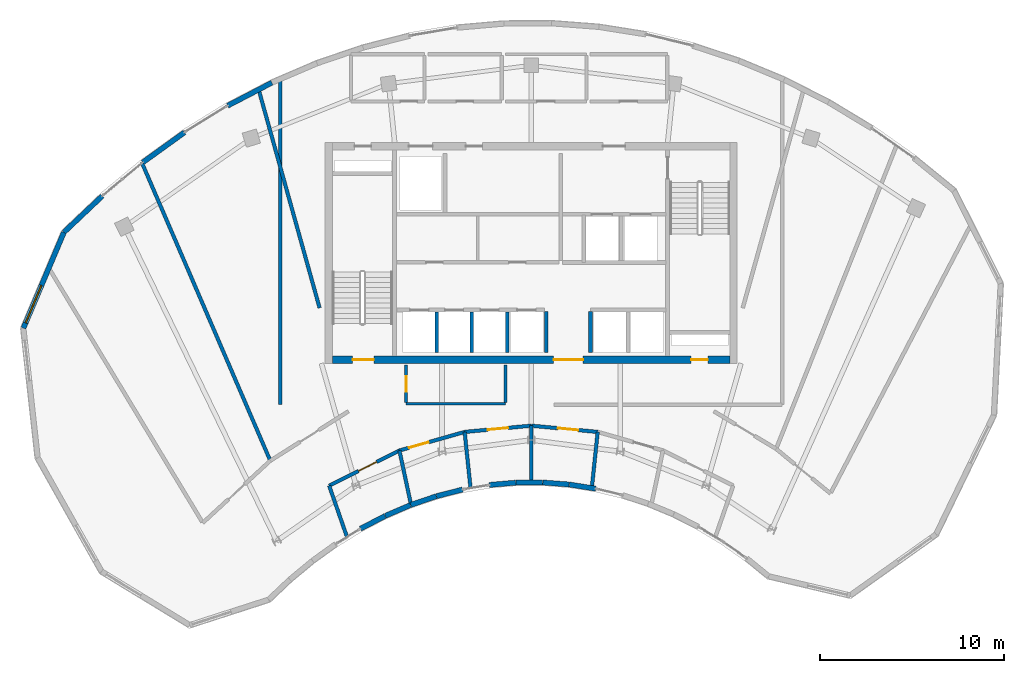
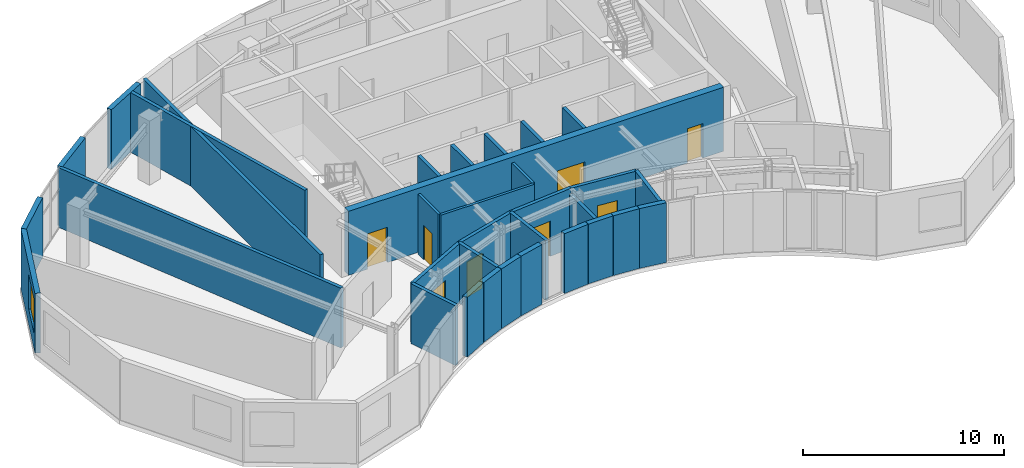
# One storey, part 5 of 9: 33 walls, 8 doors, 1 window, 9 openings.
"""IFC4 building model written with IfcOpenShell, lengths in metres."""

from ifc_helpers import new_model, si_unit, direction, frame, frame_2d, origin, place, context, subcontext, project, spatial, rectangle, extrude, source, transform, mapped, material, layer, layer_set, type_object, type_shapes, element, fill, save


model = new_model("IFC4")

# Units and contexts
model_context = context("Model", 3, precision=1e-05, world=origin(), true_north=direction((0.0, 1.0)))
body_context = subcontext(model_context, "Body", "Model", "MODEL_VIEW")
ifc_project = project(units=[si_unit("LENGTHUNIT", "METRE"), si_unit("AREAUNIT", "SQUARE_METRE"), si_unit("VOLUMEUNIT", "CUBIC_METRE"), si_unit("PLANEANGLEUNIT", "RADIAN"), si_unit("MASSUNIT", "GRAM", prefix="KILO")], contexts=[model_context])

# Site, building, storey
site_placement = place(None, origin())
site = spatial("IfcSite", under=ifc_project, at=site_placement, CompositionType="ELEMENT")
building_placement = place(site_placement, origin())
building = spatial("IfcBuilding", under=site, at=building_placement, Name="Breltana Convention Tower", CompositionType="ELEMENT")
storey_placement = place(building_placement, frame((0.0, 0.0, 279.60009765625)))
storey = spatial("IfcBuildingStorey", under=building, at=storey_placement, Name="L68", CompositionType="ELEMENT", Elevation=279.60009765625)

# Wall, openings, doors
ifc_material_1 = material(Name="Concrete C50/60", Category="concrete")
ifc_layer_1 = layer(ifc_material_1, 0.39990234375, Name="Concrete C50/60")
ifc_layer_set_1 = layer_set([ifc_layer_1], Name="Concrete C50/60")
wall_type_1 = type_object("IfcWallType", Name="SW-CORE-400", PredefinedType="SHEAR", material=ifc_layer_set_1)
shared_shape_1 = source(origin(), body_context, "Body", "SweptSolid", [
    extrude(rectangle(XDim=21.60009765625, YDim=0.39990234375, at=frame_2d((10.800048828125, 0.0))), origin(), (0.0, 0.0, 1.0), 3.89990234375),
])
wall_1_placement = place(storey_placement, frame((37.199951171875, 60.39990234375, 0.0), z_axis=(0.0, 0.0, 1.0), x_axis=(1.0, 0.0, 0.0)))
wall_1 = element("IfcWall", 1, at=wall_1_placement, inside=storey, type_object=wall_type_1, Name="L68 South Core Shear Wall", PredefinedType="SHEAR", context=body_context, shape_type="MappedRepresentation", body=[
    mapped(shared_shape_1, transform((0.0, 0.0, 0.0), scale=1.0)),
])
opening_1_placement = place(wall_1_placement, frame((1.10009765625, 0.0, 0.0)))
opening_1 = element("IfcOpeningElement", 2, at=opening_1_placement, cuts=wall_1, Name="Opening D-11", PredefinedType="OPENING", context=body_context, shape_type="SweptSolid", body=[
    extrude(rectangle(XDim=1.14990234375, YDim=2.14990234375, at=frame_2d((0.574951171875, 1.074951171875))), frame((0.0, 0.2099609375, 0.0), z_axis=(0.0, -1.0, 0.0), x_axis=(1.0, 0.0, 0.0)), (0.0, 0.0, 1.0), 0.419921875),
])
opening_2_placement = place(wall_1_placement, frame((19.5, 0.0, 0.0)))
opening_2 = element("IfcOpeningElement", 3, at=opening_2_placement, cuts=wall_1, Name="Opening D-18", PredefinedType="OPENING", context=body_context, shape_type="SweptSolid", body=[
    extrude(rectangle(XDim=0.89990234375, YDim=2.10009765625, at=frame_2d((0.449951171875, 1.050048828125))), frame((0.0, 0.2099609375, 0.0), z_axis=(0.0, -1.0, 0.0), x_axis=(1.0, 0.0, 0.0)), (0.0, 0.0, 1.0), 0.419921875),
])
opening_3_placement = place(wall_1_placement, frame((12.02001953125, 0.0, 0.0)))
opening_3 = element("IfcOpeningElement", 4, at=opening_3_placement, cuts=wall_1, Name="Opening D-02", PredefinedType="OPENING", context=body_context, shape_type="SweptSolid", body=[
    extrude(rectangle(XDim=1.60009765625, YDim=2.14990234375, at=frame_2d((0.800048828125, 1.074951171875))), frame((0.0, 0.2099609375, 0.0), z_axis=(0.0, -1.0, 0.0), x_axis=(1.0, 0.0, 0.0)), (0.0, 0.0, 1.0), 0.419921875),
])
ifc_material_2 = material(Name="Steel Stair Exit Door", Category="steel")
door_type_1 = type_object("IfcDoorType", Name="DR-FD120-1150", OperationType="NOTDEFINED", PredefinedType="DOOR", material=ifc_material_2)
shared_shape_2 = source(origin(), body_context, "Body", "SweptSolid", [
    extrude(rectangle(XDim=1.14990234375, YDim=2.14990234375, at=frame_2d((0.574951171875, 1.074951171875))), frame((0.0, 0.02490234375, 0.0), z_axis=(0.0, -1.0, 0.0), x_axis=(1.0, 0.0, 0.0)), (0.0, 0.0, 1.0), 0.050048828125),
])
type_shapes(door_type_1, [shared_shape_2])
door_1_placement = place(opening_1_placement, origin())
door_1 = element("IfcDoor", 5, at=door_1_placement, inside=storey, type_object=door_type_1, Name="L68 interior door D-L68-ST1", OperationType="SINGLE_SWING_LEFT", OverallHeight=2.14990234375, OverallWidth=1.14990234375, PredefinedType="DOOR", context=body_context, shape_type="MappedRepresentation", body=[
    mapped(shared_shape_2, transform((0.0, 0.0, 0.0), scale=1.0)),
])
fill(opening_1, door_1)
ifc_material_3 = material(Name="Steel Riser Fire Door", Category="steel")
door_type_2 = type_object("IfcDoorType", Name="DR-FD60-900", OperationType="NOTDEFINED", PredefinedType="DOOR", material=ifc_material_3)
shared_shape_3 = source(origin(), body_context, "Body", "SweptSolid", [
    extrude(rectangle(XDim=0.89990234375, YDim=2.10009765625, at=frame_2d((0.449951171875, 1.050048828125))), frame((0.0, 0.02490234375, 0.0), z_axis=(0.0, -1.0, 0.0), x_axis=(1.0, 0.0, 0.0)), (0.0, 0.0, 1.0), 0.050048828125),
])
type_shapes(door_type_2, [shared_shape_3])
door_2_placement = place(opening_2_placement, origin())
door_2 = element("IfcDoor", 6, at=door_2_placement, inside=storey, type_object=door_type_2, Name="L68 Core Riser Access Door D-L68-RS2", OperationType="SINGLE_SWING_RIGHT", OverallHeight=2.10009765625, OverallWidth=0.89990234375, PredefinedType="DOOR", context=body_context, shape_type="MappedRepresentation", body=[
    mapped(shared_shape_3, transform((0.0, 0.0, 0.0), scale=1.0)),
])
fill(opening_2, door_2)
ifc_material_4 = material(Name="Steel Glazed Smoke-Control Door", Category="steel")
door_type_3 = type_object("IfcDoorType", Name="DR-DBL-FD90-1600", OperationType="DOUBLE_DOOR_SINGLE_SWING", PredefinedType="DOOR", material=ifc_material_4)
shared_shape_4 = source(origin(), body_context, "Body", "SweptSolid", [
    extrude(rectangle(XDim=1.60009765625, YDim=2.14990234375, at=frame_2d((0.800048828125, 1.074951171875))), frame((0.0, 0.02490234375, 0.0), z_axis=(0.0, -1.0, 0.0), x_axis=(1.0, 0.0, 0.0)), (0.0, 0.0, 1.0), 0.050048828125),
])
type_shapes(door_type_3, [shared_shape_4])
door_3_placement = place(opening_3_placement, origin())
door_3 = element("IfcDoor", 7, at=door_3_placement, inside=storey, type_object=door_type_3, Name="L68 interior door D-L68-LLB-S", OperationType="DOUBLE_DOOR_SINGLE_SWING", OverallHeight=2.14990234375, OverallWidth=1.60009765625, PredefinedType="DOOR", context=body_context, shape_type="MappedRepresentation", body=[
    mapped(shared_shape_4, transform((0.0, 0.0, 0.0), scale=1.0)),
])
fill(opening_3, door_3)

# Walls
ifc_material_5 = material(Name="Limestone Buff Insulated Wall", Category="masonry")
ifc_layer_2 = layer(ifc_material_5, 0.280029296875, Name="Limestone Buff Insulated Wall")
ifc_layer_set_2 = layer_set([ifc_layer_2], Name="Limestone Buff Insulated Wall")
wall_type_2 = type_object("IfcWallType", Name="WL-EXT-NOSE-280", PredefinedType="SOLIDWALL", material=ifc_layer_set_2)
shared_shape_5 = source(origin(), body_context, "Body", "SweptSolid", [
    extrude(rectangle(XDim=1.446044921875, YDim=0.280029296875, at=frame_2d((0.72314453125, 0.0))), origin(), (0.0, 0.0, 1.0), 3.639892578125),
])
wall_2_placement = place(storey_placement, frame((51.509033203125, 53.38818359375, 0.0), z_axis=(0.0, 0.0, 1.0), x_axis=(-0.987650460941, 0.156673440642, 0.0)))
element("IfcWall", 8, at=wall_2_placement, inside=storey, type_object=wall_type_2, Name="L68 curved limestone nose wall E10", PredefinedType="SOLIDWALL", context=body_context, shape_type="MappedRepresentation", body=[
    mapped(shared_shape_5, transform((0.0, 0.0, 0.0), scale=1.0)),
])
shared_shape_6 = source(origin(), body_context, "Body", "SweptSolid", [
    extrude(rectangle(XDim=1.440185546875, YDim=0.280029296875, at=frame_2d((0.72021484375, 0.0))), origin(), (0.0, 0.0, 1.0), 3.639892578125),
])
wall_3_placement = place(storey_placement, frame((50.066162109375, 53.616455078125, 0.0), z_axis=(0.0, 0.0, 1.0), x_axis=(-0.997124860794, 0.075776064736, 0.0)))
element("IfcWall", 9, at=wall_3_placement, inside=storey, type_object=wall_type_2, Name="L68 curved limestone nose wall E11", PredefinedType="SOLIDWALL", context=body_context, shape_type="MappedRepresentation", body=[
    mapped(shared_shape_6, transform((0.0, 0.0, 0.0), scale=1.0)),
])
shared_shape_7 = source(origin(), body_context, "Body", "SweptSolid", [
    extrude(rectangle(XDim=1.4384765625, YDim=0.280029296875, at=frame_2d((0.71923828125, 0.0))), origin(), (0.0, 0.0, 1.0), 3.639892578125),
])
wall_4_placement = place(storey_placement, frame((48.615478515625, 53.726318359375, 0.0), z_axis=(0.0, 0.0, 1.0), x_axis=(-0.999982357135, -0.005940153174, 0.0)))
element("IfcWall", 10, at=wall_4_placement, inside=storey, type_object=wall_type_2, Name="L68 curved limestone nose wall E12", PredefinedType="SOLIDWALL", context=body_context, shape_type="MappedRepresentation", body=[
    mapped(shared_shape_7, transform((0.0, 0.0, 0.0), scale=1.0)),
])
shared_shape_8 = source(origin(), body_context, "Body", "SweptSolid", [
    extrude(rectangle(XDim=1.44091796875, YDim=0.280029296875, at=frame_2d((0.720458984375, 0.0))), origin(), (0.0, 0.0, 1.0), 3.639892578125),
])
wall_5_placement = place(storey_placement, frame((47.162353515625, 53.717041015625, 0.0), z_axis=(0.0, 0.0, 1.0), x_axis=(-0.99617032352, -0.087433898101, 0.0)))
element("IfcWall", 11, at=wall_5_placement, inside=storey, type_object=wall_type_2, Name="L68 curved limestone nose wall E13", PredefinedType="SOLIDWALL", context=body_context, shape_type="MappedRepresentation", body=[
    mapped(shared_shape_8, transform((0.0, 0.0, 0.0), scale=1.0)),
])
shared_shape_9 = source(origin(), body_context, "Body", "SweptSolid", [
    extrude(rectangle(XDim=1.4580078125, YDim=0.280029296875, at=frame_2d((0.72900390625, 0.0))), origin(), (0.0, 0.0, 1.0), 3.639892578125),
])
wall_6_placement = place(storey_placement, frame((44.271484375, 53.343017578125, 0.0), z_axis=(0.0, 0.0, 1.0), x_axis=(-0.969109544438, -0.246630677083, 0.0)))
element("IfcWall", 12, at=wall_6_placement, inside=storey, type_object=wall_type_2, Name="L68 curved limestone nose wall E14", PredefinedType="SOLIDWALL", context=body_context, shape_type="MappedRepresentation", body=[
    mapped(shared_shape_9, transform((0.0, 0.0, 0.0), scale=1.0)),
])
shared_shape_10 = source(origin(), body_context, "Body", "SweptSolid", [
    extrude(rectangle(XDim=1.47265625, YDim=0.280029296875, at=frame_2d((0.736328125, 0.0))), origin(), (0.0, 0.0, 1.0), 3.639892578125),
])
wall_7_placement = place(storey_placement, frame((42.8447265625, 52.9794921875, 0.0), z_axis=(0.0, 0.0, 1.0), x_axis=(-0.946641296917, -0.322289086026, 0.0)))
element("IfcWall", 13, at=wall_7_placement, inside=storey, type_object=wall_type_2, Name="L68 curved limestone nose wall E15", PredefinedType="SOLIDWALL", context=body_context, shape_type="MappedRepresentation", body=[
    mapped(shared_shape_10, transform((0.0, 0.0, 0.0), scale=1.0)),
])
shared_shape_11 = source(origin(), body_context, "Body", "SweptSolid", [
    extrude(rectangle(XDim=1.490478515625, YDim=0.280029296875, at=frame_2d((0.7451171875, 0.0))), origin(), (0.0, 0.0, 1.0), 3.639892578125),
])
wall_8_placement = place(storey_placement, frame((41.437744140625, 52.5, 0.0), z_axis=(0.0, 0.0, 1.0), x_axis=(-0.919009427656, -0.394235553799, 0.0)))
element("IfcWall", 14, at=wall_8_placement, inside=storey, type_object=wall_type_2, Name="L68 curved limestone nose wall E16", PredefinedType="SOLIDWALL", context=body_context, shape_type="MappedRepresentation", body=[
    mapped(shared_shape_11, transform((0.0, 0.0, 0.0), scale=1.0)),
])
shared_shape_12 = source(origin(), body_context, "Body", "SweptSolid", [
    extrude(rectangle(XDim=1.51171875, YDim=0.280029296875, at=frame_2d((0.755859375, 0.0))), origin(), (0.0, 0.0, 1.0), 3.639892578125),
])
wall_9_placement = place(storey_placement, frame((40.0556640625, 51.906494140625, 0.0), z_axis=(0.0, 0.0, 1.0), x_axis=(-0.886841011195, -0.462074691865, 0.0)))
element("IfcWall", 15, at=wall_9_placement, inside=storey, type_object=wall_type_2, Name="L68 curved limestone nose wall E17", PredefinedType="SOLIDWALL", context=body_context, shape_type="MappedRepresentation", body=[
    mapped(shared_shape_12, transform((0.0, 0.0, 0.0), scale=1.0)),
])

# Wall, opening, window
shared_shape_13 = source(origin(), body_context, "Body", "SweptSolid", [
    extrude(rectangle(XDim=5.655029296875, YDim=0.280029296875, at=frame_2d((2.82763671875, 0.0))), origin(), (0.0, 0.0, 1.0), 3.639892578125),
])
wall_10_placement = place(storey_placement, frame((20.40087890625, 62.11572265625, 0.0), z_axis=(0.0, 0.0, 1.0), x_axis=(0.389585063528, 0.920990487614, 0.0)))
wall_10 = element("IfcWall", 16, at=wall_10_placement, inside=storey, type_object=wall_type_2, Name="L68 curved limestone nose wall W6", PredefinedType="SOLIDWALL", context=body_context, shape_type="MappedRepresentation", body=[
    mapped(shared_shape_13, transform((0.0, 0.0, 0.0), scale=1.0)),
])
opening_4_placement = place(wall_10_placement, frame((0.313720703125, 0.0, 0.949951171875)))
opening_4 = element("IfcOpeningElement", 17, at=opening_4_placement, cuts=wall_10, Name="Opening W-03", PredefinedType="OPENING", context=body_context, shape_type="SweptSolid", body=[
    extrude(rectangle(XDim=2.199951171875, YDim=2.10009765625, at=frame_2d((1.10009765625, 1.050048828125))), frame((0.0, 0.14990234375, 0.0), z_axis=(0.0, -1.0, 0.0), x_axis=(1.0, 0.0, 0.0)), (0.0, 0.0, 1.0), 0.300048828125),
])
ifc_material_6 = material(Name="Glass Low-E Insulated Window", Category="glass")
window_type = type_object("IfcWindowType", Name="WN-NOSE-2200X2100", PartitioningType="TRIPLE_PANEL_VERTICAL", PredefinedType="WINDOW", material=ifc_material_6)
shared_shape_14 = source(origin(), body_context, "Body", "SweptSolid", [
    extrude(rectangle(XDim=2.199951171875, YDim=2.10009765625, at=frame_2d((1.10009765625, 1.050048828125))), frame((0.0, 0.030029296875, 0.0), z_axis=(0.0, -1.0, 0.0), x_axis=(1.0, 0.0, 0.0)), (0.0, 0.0, 1.0), 0.06005859375),
])
type_shapes(window_type, [shared_shape_14])
window_placement = place(opening_4_placement, origin())
window = element("IfcWindow", 18, at=window_placement, inside=storey, type_object=window_type, Name="L68 nose window W6", OverallHeight=2.10009765625, OverallWidth=2.199951171875, PartitioningType="TRIPLE_PANEL_VERTICAL", PredefinedType="WINDOW", context=body_context, shape_type="MappedRepresentation", body=[
    mapped(shared_shape_14, transform((0.0, 0.0, 0.0), scale=1.0)),
])
fill(opening_4, window)

# Walls
shared_shape_15 = source(origin(), body_context, "Body", "SweptSolid", [
    extrude(rectangle(XDim=2.87255859375, YDim=0.280029296875, at=frame_2d((1.436279296875, 0.0))), origin(), (0.0, 0.0, 1.0), 3.639892578125),
])
wall_11_placement = place(storey_placement, frame((22.60400390625, 67.323974609375, 0.0), z_axis=(0.0, 0.0, 1.0), x_axis=(0.72609560544, 0.687593754888, 0.0)))
element("IfcWall", 19, at=wall_11_placement, inside=storey, type_object=wall_type_2, Name="L68 curved limestone nose wall W7", PredefinedType="SOLIDWALL", context=body_context, shape_type="MappedRepresentation", body=[
    mapped(shared_shape_15, transform((0.0, 0.0, 0.0), scale=1.0)),
])
shared_shape_16 = source(origin(), body_context, "Body", "SweptSolid", [
    extrude(rectangle(XDim=2.8017578125, YDim=0.280029296875, at=frame_2d((1.40087890625, 0.0))), origin(), (0.0, 0.0, 1.0), 3.639892578125),
])
wall_12_placement = place(storey_placement, frame((26.88525390625, 71.11962890625, 0.0), z_axis=(0.0, 0.0, 1.0), x_axis=(0.811507896482, 0.584341453217, 0.0)))
element("IfcWall", 20, at=wall_12_placement, inside=storey, type_object=wall_type_2, Name="L68 curved limestone nose wall E20", PredefinedType="SOLIDWALL", context=body_context, shape_type="MappedRepresentation", body=[
    mapped(shared_shape_16, transform((0.0, 0.0, 0.0), scale=1.0)),
])
shared_shape_17 = source(origin(), body_context, "Body", "SweptSolid", [
    extrude(rectangle(XDim=2.71142578125, YDim=0.280029296875, at=frame_2d((1.355712890625, 0.0))), origin(), (0.0, 0.0, 1.0), 3.639892578125),
])
wall_13_placement = place(storey_placement, frame((31.50244140625, 74.20458984375, 0.0), z_axis=(0.0, 0.0, 1.0), x_axis=(0.886828760751, 0.462098202881, 0.0)))
element("IfcWall", 21, at=wall_13_placement, inside=storey, type_object=wall_type_2, Name="L68 curved limestone nose wall E21", PredefinedType="SOLIDWALL", context=body_context, shape_type="MappedRepresentation", body=[
    mapped(shared_shape_17, transform((0.0, 0.0, 0.0), scale=1.0)),
])
ifc_material_7 = material(Name="Autoclaved Aerated Concrete Block", Category="concrete")
ifc_layer_3 = layer(ifc_material_7, 0.199951171875, Name="Autoclaved Aerated Concrete Block")
ifc_layer_set_3 = layer_set([ifc_layer_3], Name="Autoclaved Aerated Concrete Block")
wall_type_3 = type_object("IfcWallType", Name="WL-SHAFT-200", PredefinedType="SOLIDWALL", material=ifc_layer_set_3)
shared_shape_18 = source(origin(), body_context, "Body", "SweptSolid", [
    extrude(rectangle(XDim=2.239990234375, YDim=0.199951171875, at=frame_2d((1.1201171875, 0.0))), origin(), (0.0, 0.0, 1.0), 3.639892578125),
])
for number, where, z_axis, x_axis, name in (
    (22, (48.820068359375, 60.780029296875, 0.0), (0.0, 0.0, 1.0), (0.0, 1.0, 0.0), "L68 interior partition W-L68-PORT-W"),
    (23, (51.219970703125, 60.780029296875, 0.0), (0.0, 0.0, 1.0), (0.0, 1.0, 0.0), "L68 interior partition W-L68-PORT-E"),
):
    element("IfcWall", number, at=place(storey_placement, frame(where, z_axis=z_axis, x_axis=x_axis)), inside=storey, type_object=wall_type_3, Name=name, PredefinedType="SOLIDWALL", context=body_context, shape_type="MappedRepresentation", body=[
        mapped(shared_shape_18, transform((0.0, 0.0, 0.0), scale=1.0)),
    ])
shared_shape_19 = source(origin(), body_context, "Body", "SweptSolid", [
    extrude(rectangle(XDim=2.199951171875, YDim=0.199951171875, at=frame_2d((1.10009765625, 0.0))), origin(), (0.0, 0.0, 1.0), 3.639892578125),
])
for number, where, z_axis, x_axis, name in (
    (24, (42.8701171875, 60.800048828125, 0.0), (0.0, 0.0, 1.0), (0.0, 1.0, 0.0), "L68 interior partition W-L68-SH-S-DIV1"),
    (25, (44.77001953125, 60.800048828125, 0.0), (0.0, 0.0, 1.0), (0.0, 1.0, 0.0), "L68 interior partition W-L68-SH-S-DIV2"),
    (26, (46.699951171875, 60.800048828125, 0.0), (0.0, 0.0, 1.0), (0.0, 1.0, 0.0), "L68 interior partition W-L68-SH-S-DIV3"),
):
    element("IfcWall", number, at=place(storey_placement, frame(where, z_axis=z_axis, x_axis=x_axis)), inside=storey, type_object=wall_type_3, Name=name, PredefinedType="SOLIDWALL", context=body_context, shape_type="MappedRepresentation", body=[
        mapped(shared_shape_19, transform((0.0, 0.0, 0.0), scale=1.0)),
    ])
ifc_material_8 = material(Name="Gypsum Acoustic Drywall Partition")
ifc_layer_4 = layer(ifc_material_8, 0.14990234375, Name="Gypsum Acoustic Drywall Partition")
ifc_layer_set_4 = layer_set([ifc_layer_4], Name="Gypsum Acoustic Drywall Partition")
wall_type_4 = type_object("IfcWallType", Name="WL-PART-150", PredefinedType="PARTITIONING", material=ifc_layer_set_4)
shared_shape_20 = source(origin(), body_context, "Body", "SweptSolid", [
    extrude(rectangle(XDim=5.400146484375, YDim=0.14990234375, at=frame_2d((2.7001953125, 0.0))), origin(), (0.0, 0.0, 1.0), 3.639892578125),
])
wall_14_placement = place(storey_placement, frame((41.199951171875, 58.0, 0.0), z_axis=(0.0, 0.0, 1.0), x_axis=(1.0, 0.0, 0.0)))
element("IfcWall", 27, at=wall_14_placement, inside=storey, type_object=wall_type_4, Name="L68 interior partition W-L68-CRSC-S", PredefinedType="PARTITIONING", context=body_context, shape_type="MappedRepresentation", body=[
    mapped(shared_shape_20, transform((0.0, 0.0, 0.0), scale=1.0)),
])

# Wall, opening, door
shared_shape_21 = source(origin(), body_context, "Body", "SweptSolid", [
    extrude(rectangle(XDim=2.03271484375, YDim=0.14990234375, at=frame_2d((1.016357421875, 0.0))), origin(), (0.0, 0.0, 1.0), 3.639892578125),
])
wall_15_placement = place(storey_placement, frame((41.199951171875, 58.0673828125, 0.0), z_axis=(0.0, 0.0, 1.0), x_axis=(0.0, 1.0, 0.0)))
wall_15 = element("IfcWall", 28, at=wall_15_placement, inside=storey, type_object=wall_type_4, Name="L68 interior partition W-L68-CRSC-W", PredefinedType="PARTITIONING", context=body_context, shape_type="MappedRepresentation", body=[
    mapped(shared_shape_21, transform((0.0, 0.0, 0.0), scale=1.0)),
])
opening_5_placement = place(wall_15_placement, frame((0.59130859375, 0.0, 0.0)))
opening_5 = element("IfcOpeningElement", 29, at=opening_5_placement, cuts=wall_15, Name="Opening D-20", PredefinedType="OPENING", context=body_context, shape_type="SweptSolid", body=[
    extrude(rectangle(XDim=0.85009765625, YDim=2.10009765625, at=frame_2d((0.425048828125, 1.050048828125))), frame((0.0, 0.0849609375, 0.0), z_axis=(0.0, -1.0, 0.0), x_axis=(1.0, 0.0, 0.0)), (0.0, 0.0, 1.0), 0.169921875),
])
ifc_material_9 = material(Name="Steel Closet Fire Door", Category="steel")
door_type_4 = type_object("IfcDoorType", Name="DR-FD60-850", OperationType="NOTDEFINED", PredefinedType="DOOR", material=ifc_material_9)
shared_shape_22 = source(origin(), body_context, "Body", "SweptSolid", [
    extrude(rectangle(XDim=0.85009765625, YDim=2.10009765625, at=frame_2d((0.425048828125, 1.050048828125))), frame((0.0, 0.02490234375, 0.0), z_axis=(0.0, -1.0, 0.0), x_axis=(1.0, 0.0, 0.0)), (0.0, 0.0, 1.0), 0.050048828125),
])
type_shapes(door_type_4, [shared_shape_22])
door_4_placement = place(opening_5_placement, origin())
door_4 = element("IfcDoor", 30, at=door_4_placement, inside=storey, type_object=door_type_4, Name="L68 interior door D-L68-CRSC", OperationType="SINGLE_SWING_LEFT", OverallHeight=2.10009765625, OverallWidth=0.85009765625, PredefinedType="DOOR", context=body_context, shape_type="MappedRepresentation", body=[
    mapped(shared_shape_22, transform((0.0, 0.0, 0.0), scale=1.0)),
])
fill(opening_5, door_4)

# Wall
wall_16_placement = place(storey_placement, frame((46.60009765625, 58.0673828125, 0.0), z_axis=(0.0, 0.0, 1.0), x_axis=(0.0, 1.0, 0.0)))
element("IfcWall", 31, at=wall_16_placement, inside=storey, type_object=wall_type_4, Name="L68 interior partition W-L68-CRSC-E", PredefinedType="PARTITIONING", context=body_context, shape_type="MappedRepresentation", body=[
    mapped(shared_shape_21, transform((0.0, 0.0, 0.0), scale=1.0)),
])

# Wall, opening, door
ifc_material_10 = material(Name="Gypsum Acoustic Hotel Wall")
ifc_layer_5 = layer(ifc_material_10, 0.195068359375, Name="Gypsum Acoustic Hotel Wall")
ifc_layer_set_5 = layer_set([ifc_layer_5], Name="Gypsum Acoustic Hotel Wall")
wall_type_5 = type_object("IfcWallType", Name="WL-HOTEL-200", PredefinedType="PARTITIONING", material=ifc_layer_set_5)
shared_shape_23 = source(origin(), body_context, "Body", "SweptSolid", [
    extrude(rectangle(XDim=4.270751953125, YDim=0.195068359375, at=frame_2d((2.13525390625, 0.0))), origin(), (0.0, 0.0, 1.0), 3.639892578125),
])
wall_17_placement = place(storey_placement, frame((37.0205078125, 53.551513671875, 0.0), z_axis=(0.0, 0.0, 1.0), x_axis=(0.894061035522, 0.447945158207, 0.0)))
wall_17 = element("IfcWall", 32, at=wall_17_placement, inside=storey, type_object=wall_type_5, Name="L68 interior partition W-L68-ES1-COR", PredefinedType="PARTITIONING", context=body_context, shape_type="MappedRepresentation", body=[
    mapped(shared_shape_23, transform((0.0, 0.0, 0.0), scale=1.0)),
])
opening_6_placement = place(wall_17_placement, frame((1.785400390625, 0.0, 0.0)))
opening_6 = element("IfcOpeningElement", 33, at=opening_6_placement, cuts=wall_17, Name="Opening D-12", PredefinedType="OPENING", context=body_context, shape_type="SweptSolid", body=[
    extrude(rectangle(XDim=1.10009765625, YDim=2.14990234375, at=frame_2d((0.550048828125, 1.074951171875))), frame((0.0, 0.107421875, 0.0), z_axis=(0.0, -1.0, 0.0), x_axis=(1.0, 0.0, 0.0)), (0.0, 0.0, 1.0), 0.215087890625),
])
ifc_material_11 = material(Name="Timber Oak Acoustic Door", Category="wood")
door_type_5 = type_object("IfcDoorType", Name="DR-INT-1100", OperationType="NOTDEFINED", PredefinedType="DOOR", material=ifc_material_11)
shared_shape_24 = source(origin(), body_context, "Body", "SweptSolid", [
    extrude(rectangle(XDim=1.10009765625, YDim=2.14990234375, at=frame_2d((0.550048828125, 1.074951171875))), frame((0.0, 0.02490234375, 0.0), z_axis=(0.0, -1.0, 0.0), x_axis=(1.0, 0.0, 0.0)), (0.0, 0.0, 1.0), 0.050048828125),
])
type_shapes(door_type_5, [shared_shape_24])
door_5_placement = place(opening_6_placement, origin())
door_5 = element("IfcDoor", 34, at=door_5_placement, inside=storey, type_object=door_type_5, Name="L68 interior door D-L68-ES1", OperationType="SINGLE_SWING_RIGHT", OverallHeight=2.14990234375, OverallWidth=1.10009765625, PredefinedType="DOOR", context=body_context, shape_type="MappedRepresentation", body=[
    mapped(shared_shape_24, transform((0.0, 0.0, 0.0), scale=1.0)),
])
fill(opening_6, door_5)

# Walls
shared_shape_25 = source(origin(), body_context, "Body", "SweptSolid", [
    extrude(rectangle(XDim=2.94384765625, YDim=0.195068359375, at=frame_2d((1.471923828125, 0.0))), origin(), (0.0, 0.0, 1.0), 3.639892578125),
])
wall_18_placement = place(storey_placement, frame((37.98779296875, 50.77099609375, 0.0), z_axis=(0.0, 0.0, 1.0), x_axis=(-0.328565655286, 0.944481132774, 0.0)))
element("IfcWall", 35, at=wall_18_placement, inside=storey, type_object=wall_type_5, Name="L68 interior partition W-L68-ES1-RA", PredefinedType="PARTITIONING", context=body_context, shape_type="MappedRepresentation", body=[
    mapped(shared_shape_25, transform((0.0, 0.0, 0.0), scale=1.0)),
])
shared_shape_26 = source(origin(), body_context, "Body", "SweptSolid", [
    extrude(rectangle(XDim=3.009765625, YDim=0.195068359375, at=frame_2d((1.5048828125, 0.0))), origin(), (0.0, 0.0, 1.0), 3.639892578125),
])
wall_19_placement = place(storey_placement, frame((41.46875, 52.521484375, 0.0), z_axis=(0.0, 0.0, 1.0), x_axis=(-0.209279797988, 0.977855800287, 0.0)))
element("IfcWall", 36, at=wall_19_placement, inside=storey, type_object=wall_type_5, Name="L68 interior partition W-L68-ES1-RB", PredefinedType="PARTITIONING", context=body_context, shape_type="MappedRepresentation", body=[
    mapped(shared_shape_26, transform((0.0, 0.0, 0.0), scale=1.0)),
])

# Wall, opening, door
shared_shape_27 = source(origin(), body_context, "Body", "SweptSolid", [
    extrude(rectangle(XDim=3.6865234375, YDim=0.195068359375, at=frame_2d((1.84326171875, 0.0))), origin(), (0.0, 0.0, 1.0), 3.639892578125),
])
wall_20_placement = place(storey_placement, frame((40.8388671875, 55.464599609375, 0.0), z_axis=(0.0, 0.0, 1.0), x_axis=(0.961753532248, 0.27391630694, 0.0)))
wall_20 = element("IfcWall", 37, at=wall_20_placement, inside=storey, type_object=wall_type_5, Name="L68 interior partition W-L68-ES2-COR", PredefinedType="PARTITIONING", context=body_context, shape_type="MappedRepresentation", body=[
    mapped(shared_shape_27, transform((0.0, 0.0, 0.0), scale=1.0)),
])
opening_7_placement = place(wall_20_placement, frame((0.543212890625, 0.0, 0.0)))
opening_7 = element("IfcOpeningElement", 38, at=opening_7_placement, cuts=wall_20, Name="Opening D-12", PredefinedType="OPENING", context=body_context, shape_type="SweptSolid", body=[
    extrude(rectangle(XDim=1.10009765625, YDim=2.14990234375, at=frame_2d((0.550048828125, 1.074951171875))), frame((0.0, 0.107421875, 0.0), z_axis=(0.0, -1.0, 0.0), x_axis=(1.0, 0.0, 0.0)), (0.0, 0.0, 1.0), 0.215087890625),
])
door_6_placement = place(opening_7_placement, origin())
door_6 = element("IfcDoor", 39, at=door_6_placement, inside=storey, type_object=door_type_5, Name="L68 interior door D-L68-ES2", OperationType="SINGLE_SWING_LEFT", OverallHeight=2.14990234375, OverallWidth=1.10009765625, PredefinedType="DOOR", context=body_context, shape_type="MappedRepresentation", body=[
    mapped(shared_shape_24, transform((0.0, 0.0, 0.0), scale=1.0)),
])
fill(opening_7, door_6)

# Wall
shared_shape_28 = source(origin(), body_context, "Body", "SweptSolid", [
    extrude(rectangle(XDim=3.0634765625, YDim=0.195068359375, at=frame_2d((1.53173828125, 0.0))), origin(), (0.0, 0.0, 1.0), 3.639892578125),
])
wall_21_placement = place(storey_placement, frame((44.703857421875, 53.427490234375, 0.0), z_axis=(0.0, 0.0, 1.0), x_axis=(-0.104315578516, 0.994544247421, 0.0)))
element("IfcWall", 40, at=wall_21_placement, inside=storey, type_object=wall_type_5, Name="L68 interior partition W-L68-ES2-RB", PredefinedType="PARTITIONING", context=body_context, shape_type="MappedRepresentation", body=[
    mapped(shared_shape_28, transform((0.0, 0.0, 0.0), scale=1.0)),
])

# Wall, opening, door
shared_shape_29 = source(origin(), body_context, "Body", "SweptSolid", [
    extrude(rectangle(XDim=3.631591796875, YDim=0.195068359375, at=frame_2d((1.81591796875, 0.0))), origin(), (0.0, 0.0, 1.0), 3.639892578125),
])
wall_22_placement = place(storey_placement, frame((44.38427734375, 56.474365234375, 0.0), z_axis=(0.0, 0.0, 1.0), x_axis=(0.99563695898, 0.093311552942, 0.0)))
wall_22 = element("IfcWall", 41, at=wall_22_placement, inside=storey, type_object=wall_type_5, Name="L68 interior partition W-L68-ES3-COR", PredefinedType="PARTITIONING", context=body_context, shape_type="MappedRepresentation", body=[
    mapped(shared_shape_29, transform((0.0, 0.0, 0.0), scale=1.0)),
])
opening_8_placement = place(wall_22_placement, frame((1.265869140625, 0.0, 0.0)))
opening_8 = element("IfcOpeningElement", 42, at=opening_8_placement, cuts=wall_22, Name="Opening D-12", PredefinedType="OPENING", context=body_context, shape_type="SweptSolid", body=[
    extrude(rectangle(XDim=1.10009765625, YDim=2.14990234375, at=frame_2d((0.550048828125, 1.074951171875))), frame((0.0, 0.107421875, 0.0), z_axis=(0.0, -1.0, 0.0), x_axis=(1.0, 0.0, 0.0)), (0.0, 0.0, 1.0), 0.215087890625),
])
door_7_placement = place(opening_8_placement, origin())
door_7 = element("IfcDoor", 43, at=door_7_placement, inside=storey, type_object=door_type_5, Name="L68 interior door D-L68-ES3", OperationType="SINGLE_SWING_RIGHT", OverallHeight=2.14990234375, OverallWidth=1.10009765625, PredefinedType="DOOR", context=body_context, shape_type="MappedRepresentation", body=[
    mapped(shared_shape_24, transform((0.0, 0.0, 0.0), scale=1.0)),
])
fill(opening_8, door_7)

wall_23_placement = place(storey_placement, frame((48.0, 56.813232421875, 0.0), z_axis=(0.0, 0.0, 1.0), x_axis=(0.99563695898, -0.093311552942, 0.0)))
wall_23 = element("IfcWall", 44, at=wall_23_placement, inside=storey, type_object=wall_type_5, Name="L68 interior partition W-L68-ES4-COR", PredefinedType="PARTITIONING", context=body_context, shape_type="MappedRepresentation", body=[
    mapped(shared_shape_29, transform((0.0, 0.0, 0.0), scale=1.0)),
])
opening_9_placement = place(wall_23_placement, frame((1.4658203125, 0.0, 0.0)))
opening_9 = element("IfcOpeningElement", 45, at=opening_9_placement, cuts=wall_23, Name="Opening D-12", PredefinedType="OPENING", context=body_context, shape_type="SweptSolid", body=[
    extrude(rectangle(XDim=1.10009765625, YDim=2.14990234375, at=frame_2d((0.550048828125, 1.074951171875))), frame((0.0, 0.107421875, 0.0), z_axis=(0.0, -1.0, 0.0), x_axis=(1.0, 0.0, 0.0)), (0.0, 0.0, 1.0), 0.215087890625),
])
door_8_placement = place(opening_9_placement, origin())
door_8 = element("IfcDoor", 46, at=door_8_placement, inside=storey, type_object=door_type_5, Name="L68 interior door D-L68-ES4", OperationType="SINGLE_SWING_LEFT", OverallHeight=2.14990234375, OverallWidth=1.10009765625, PredefinedType="DOOR", context=body_context, shape_type="MappedRepresentation", body=[
    mapped(shared_shape_24, transform((0.0, 0.0, 0.0), scale=1.0)),
])
fill(opening_9, door_8)

# Walls
shared_shape_30 = source(origin(), body_context, "Body", "SweptSolid", [
    extrude(rectangle(XDim=3.08056640625, YDim=0.195068359375, at=frame_2d((1.540283203125, 0.0))), origin(), (0.0, 0.0, 1.0), 3.31396484375),
])
wall_24_placement = place(storey_placement, frame((48.0, 53.732666015625, 0.0), z_axis=(0.0, 0.0, 1.0), x_axis=(0.0, 1.0, 0.0)))
element("IfcWall", 47, at=wall_24_placement, inside=storey, type_object=wall_type_5, Name="L68 interior partition W-L68-ES3-RB", PredefinedType="PARTITIONING", context=body_context, shape_type="MappedRepresentation", body=[
    mapped(shared_shape_30, transform((0.0, 0.0, 0.0), scale=1.0)),
])
shared_shape_31 = source(origin(), body_context, "Body", "SweptSolid", [
    extrude(rectangle(XDim=3.05908203125, YDim=0.195068359375, at=frame_2d((1.529541015625, 0.0))), origin(), (0.0, 0.0, 1.0), 3.639892578125),
])
wall_25_placement = place(storey_placement, frame((51.296630859375, 53.431884765625, 0.0), z_axis=(0.0, 0.0, 1.0), x_axis=(0.10430673596, 0.994545174858, 0.0)))
element("IfcWall", 48, at=wall_25_placement, inside=storey, type_object=wall_type_5, Name="L68 interior partition W-L68-ES4-RB", PredefinedType="PARTITIONING", context=body_context, shape_type="MappedRepresentation", body=[
    mapped(shared_shape_31, transform((0.0, 0.0, 0.0), scale=1.0)),
])
shared_shape_32 = source(origin(), body_context, "Body", "SweptSolid", [
    extrude(rectangle(XDim=17.5556640625, YDim=0.195068359375, at=frame_2d((8.77783203125, 0.0))), origin(), (0.0, 0.0, 1.0), 3.639892578125),
])
wall_26_placement = place(storey_placement, frame((33.800048828125, 54.95751953125, 0.0), z_axis=(0.0, 0.0, 1.0), x_axis=(-0.395687598313, 0.918385172213, 0.0)))
element("IfcWall", 49, at=wall_26_placement, inside=storey, type_object=wall_type_5, Name="L68 interior partition W-L68-EXWR1-RB", PredefinedType="PARTITIONING", context=body_context, shape_type="MappedRepresentation", body=[
    mapped(shared_shape_32, transform((0.0, 0.0, 0.0), scale=1.0)),
])
shared_shape_33 = source(origin(), body_context, "Body", "SweptSolid", [
    extrude(rectangle(XDim=12.310546875, YDim=0.195068359375, at=frame_2d((6.1552734375, 0.0))), origin(), (0.0, 0.0, 1.0), 3.639892578125),
])
wall_27_placement = place(storey_placement, frame((36.5, 63.2158203125, 0.0), z_axis=(0.0, 0.0, 1.0), x_axis=(-0.268759602651, 0.963207286093, 0.0)))
element("IfcWall", 50, at=wall_27_placement, inside=storey, type_object=wall_type_5, Name="L68 interior partition W-L68-EXWR2-RB", PredefinedType="PARTITIONING", context=body_context, shape_type="MappedRepresentation", body=[
    mapped(shared_shape_33, transform((0.0, 0.0, 0.0), scale=1.0)),
])
shared_shape_34 = source(origin(), body_context, "Body", "SweptSolid", [
    extrude(rectangle(XDim=17.680908203125, YDim=0.195068359375, at=frame_2d((8.84033203125, 0.0))), origin(), (0.0, 0.0, 1.0), 3.639892578125),
])
wall_28_placement = place(storey_placement, frame((34.360107421875, 57.9599609375, 0.0), z_axis=(0.0, 0.0, 1.0), x_axis=(0.0, 1.0, 0.0)))
element("IfcWall", 51, at=wall_28_placement, inside=storey, type_object=wall_type_5, Name="L68 interior partition W-L68-EXWR-CL", PredefinedType="PARTITIONING", context=body_context, shape_type="MappedRepresentation", body=[
    mapped(shared_shape_34, transform((0.0, 0.0, 0.0), scale=1.0)),
])

save(model, "model.ifc")
